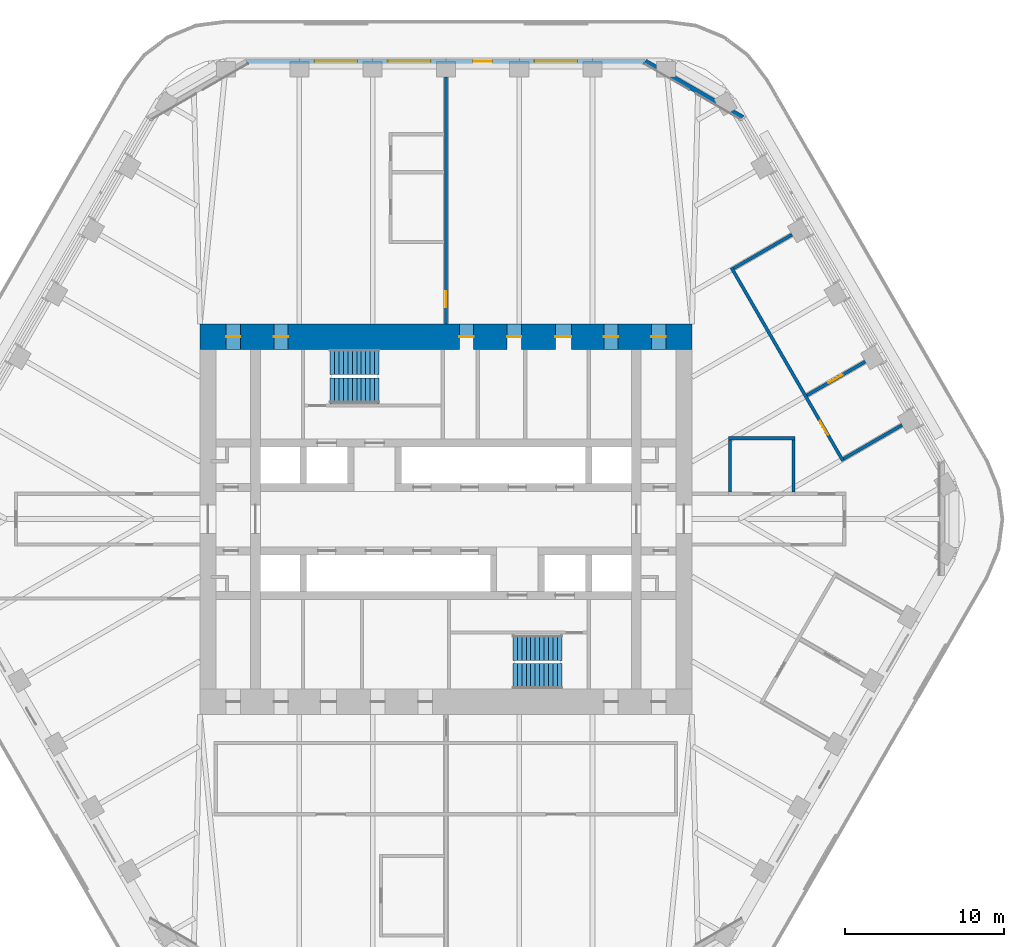
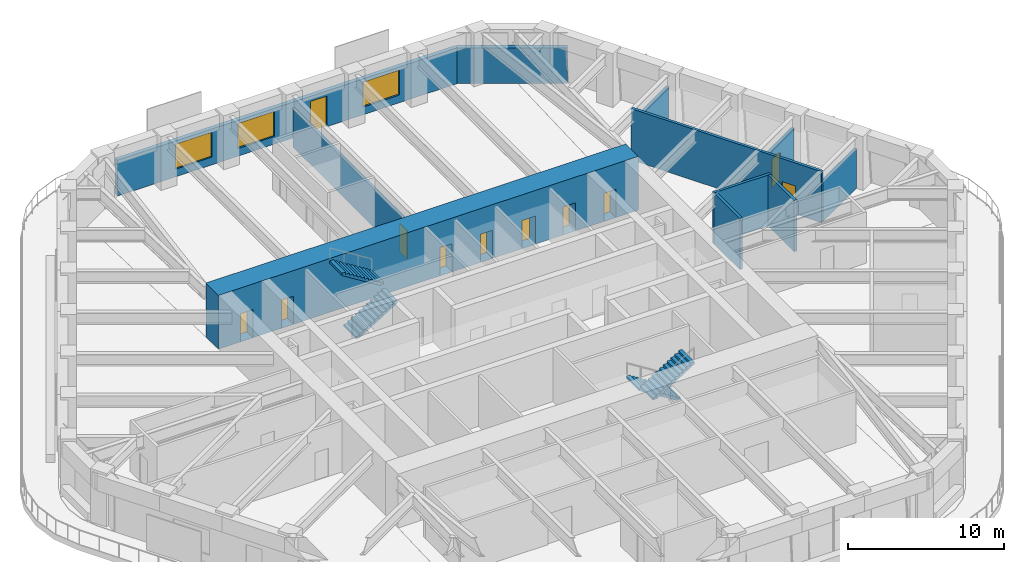
# One storey, part 17 of 20: 11 doors, 11 walls, 4 stair flights, 3 windows, 14 openings, 2 elements without a shape of their own.
"""IFC4 building model written with IfcOpenShell, lengths in metres."""

from ifc_helpers import new_model, si_unit, direction, frame, frame_2d, origin, place, context, subcontext, project, spatial, polyline, rectangle, outline, extrude, material, layer, layer_set, type_object, element, fill, aggregate, save


model = new_model("IFC4")

# Units and contexts
model_context = context("Model", 3, precision=1e-05, world=origin(), true_north=direction((0.0, 1.0)))
body_context = subcontext(model_context, "Body", "Model", "MODEL_VIEW")
ifc_project = project(units=[si_unit("LENGTHUNIT", "METRE"), si_unit("AREAUNIT", "SQUARE_METRE"), si_unit("VOLUMEUNIT", "CUBIC_METRE"), si_unit("PLANEANGLEUNIT", "RADIAN"), si_unit("MASSUNIT", "GRAM", prefix="KILO")], contexts=[model_context])

# Site, building, storey
site_placement = place(None, origin())
site = spatial("IfcSite", under=ifc_project, at=site_placement, CompositionType="ELEMENT")
building_placement = place(site_placement, origin())
building = spatial("IfcBuilding", under=site, at=building_placement, Name="Tarfa Lantern Tower", CompositionType="ELEMENT")
storey_placement = place(building_placement, frame((0.0, 0.0, 265.89990234375)))
storey = spatial("IfcBuildingStorey", under=building, at=storey_placement, Name="L60", CompositionType="ELEMENT", Elevation=265.89990234375)

# Wall
ifc_material_1 = material(Name="Limestone cladding on blockwork", Category="masonry")
ifc_layer_1 = layer(ifc_material_1, 0.300048828125)
ifc_layer_set_1 = layer_set([ifc_layer_1], Name="EW1 STONE-CLAD WALL 300")
wall_type_1 = type_object("IfcWallType", Name="EW1 STONE-CLAD WALL 300", PredefinedType="SOLIDWALL", material=ifc_layer_set_1)
wall_1_placement = place(storey_placement, frame((18.70654296875, 25.299072265625, 0.0), z_axis=(0.0, 0.0, 1.0), x_axis=(-0.866010973379, 0.500024993363, 0.0)))
element("IfcWall", 1, at=wall_1_placement, inside=storey, type_object=wall_type_1, Name="Garden wall NE-N", PredefinedType="SOLIDWALL", context=body_context, shape_type="SweptSolid", body=[
    extrude(rectangle(XDim=7.101806640625, YDim=0.300048828125, at=frame_2d((3.55078125, 0.0))), origin(), (0.0, 0.0, 1.0), 2.800048828125),
])

# Wall, openings, door, windows
wall_2_placement = place(storey_placement, frame((12.556396484375, 28.85009765625, 0.0), z_axis=(0.0, 0.0, 1.0), x_axis=(-1.0, 0.0, 0.0)))
wall_2 = element("IfcWall", 2, at=wall_2_placement, inside=storey, type_object=wall_type_1, Name="Stone wall N", PredefinedType="SOLIDWALL", context=body_context, shape_type="SweptSolid", body=[
    extrude(rectangle(XDim=25.11279296875, YDim=0.300048828125, at=frame_2d((12.556396484375, 0.0))), origin(), (0.0, 0.0, 1.0), 2.800048828125),
])
opening_1_placement = place(wall_2_placement, frame((4.2783203125, 0.0, 0.60009765625)))
opening_1 = element("IfcOpeningElement", 3, at=opening_1_placement, cuts=wall_2, Name="Opening W14", PredefinedType="OPENING", context=body_context, shape_type="SweptSolid", body=[
    extrude(rectangle(XDim=2.699951171875, YDim=1.949951171875, at=frame_2d((1.35009765625, 0.97509765625))), frame((0.0, 0.159912109375, 0.0), z_axis=(0.0, -1.0, 0.0), x_axis=(1.0, 0.0, 0.0)), (0.0, 0.0, 1.0), 0.320068359375),
])
opening_2_placement = place(wall_2_placement, frame((9.64697265625, 0.0, 0.0)))
opening_2 = element("IfcOpeningElement", 4, at=opening_2_placement, cuts=wall_2, Name="Opening D46", PredefinedType="OPENING", context=body_context, shape_type="SweptSolid", body=[
    extrude(rectangle(XDim=1.199951171875, YDim=2.39990234375, at=frame_2d((0.60009765625, 1.199951171875))), frame((0.0, 0.159912109375, 0.0), z_axis=(0.0, -1.0, 0.0), x_axis=(1.0, 0.0, 0.0)), (0.0, 0.0, 1.0), 0.320068359375),
])
opening_3_placement = place(wall_2_placement, frame((13.515869140625, 0.0, 0.60009765625)))
opening_3 = element("IfcOpeningElement", 5, at=opening_3_placement, cuts=wall_2, Name="Opening W14", PredefinedType="OPENING", context=body_context, shape_type="SweptSolid", body=[
    extrude(rectangle(XDim=2.699951171875, YDim=1.949951171875, at=frame_2d((1.35009765625, 0.97509765625))), frame((0.0, 0.159912109375, 0.0), z_axis=(0.0, -1.0, 0.0), x_axis=(1.0, 0.0, 0.0)), (0.0, 0.0, 1.0), 0.320068359375),
])
opening_4_placement = place(wall_2_placement, frame((18.134521484375, 0.0, 0.60009765625)))
opening_4 = element("IfcOpeningElement", 6, at=opening_4_placement, cuts=wall_2, Name="Opening W14", PredefinedType="OPENING", context=body_context, shape_type="SweptSolid", body=[
    extrude(rectangle(XDim=2.699951171875, YDim=1.949951171875, at=frame_2d((1.35009765625, 0.97509765625))), frame((0.0, 0.159912109375, 0.0), z_axis=(0.0, -1.0, 0.0), x_axis=(1.0, 0.0, 0.0)), (0.0, 0.0, 1.0), 0.320068359375),
])
ifc_material_2 = material(Name="Aluminium framed glazed door", Category="aluminium")
door_type_1 = type_object("IfcDoorType", Name="BE3 BALCONY DOOR 1200x2400", OperationType="SINGLE_SWING_RIGHT", PredefinedType="DOOR", material=ifc_material_2)
door_1_placement = place(opening_2_placement, origin())
door_1 = element("IfcDoor", 7, at=door_1_placement, inside=storey, type_object=door_type_1, Name="Balcony door N", OperationType="SINGLE_SWING_LEFT", OverallHeight=2.39990234375, OverallWidth=1.199951171875, PredefinedType="DOOR", context=body_context, shape_type="SweptSolid", body=[
    extrude(rectangle(XDim=1.199951171875, YDim=2.39990234375, at=frame_2d((0.60009765625, 1.199951171875))), frame((0.0, 0.02490234375, 0.0), z_axis=(0.0, -1.0, 0.0), x_axis=(1.0, 0.0, 0.0)), (0.0, 0.0, 1.0), 0.050048828125),
])
fill(opening_2, door_1)
ifc_material_3 = material(Name="Aluminium frame, double glazed", Category="aluminium")
window_type = type_object("IfcWindowType", Name="W14 FULL-HEIGHT GLAZING 2700x1950", PartitioningType="SINGLE_PANEL", PredefinedType="WINDOW", material=ifc_material_3)
window_1_placement = place(opening_1_placement, origin())
window_1 = element("IfcWindow", 8, at=window_1_placement, inside=storey, type_object=window_type, Name="Window N 2", OverallHeight=1.949951171875, OverallWidth=2.699951171875, PartitioningType="SINGLE_PANEL", PredefinedType="WINDOW", context=body_context, shape_type="SweptSolid", body=[
    extrude(rectangle(XDim=2.699951171875, YDim=1.949951171875, at=frame_2d((1.35009765625, 0.97509765625))), frame((0.0, 0.030029296875, 0.0), z_axis=(0.0, -1.0, 0.0), x_axis=(1.0, 0.0, 0.0)), (0.0, 0.0, 1.0), 0.06005859375),
])
fill(opening_1, window_1)
window_2_placement = place(opening_3_placement, origin())
window_2 = element("IfcWindow", 9, at=window_2_placement, inside=storey, type_object=window_type, Name="Window N 4", OverallHeight=1.949951171875, OverallWidth=2.699951171875, PartitioningType="SINGLE_PANEL", PredefinedType="WINDOW", context=body_context, shape_type="SweptSolid", body=[
    extrude(rectangle(XDim=2.699951171875, YDim=1.949951171875, at=frame_2d((1.35009765625, 0.97509765625))), frame((0.0, 0.030029296875, 0.0), z_axis=(0.0, -1.0, 0.0), x_axis=(1.0, 0.0, 0.0)), (0.0, 0.0, 1.0), 0.06005859375),
])
fill(opening_3, window_2)
window_3_placement = place(opening_4_placement, origin())
window_3 = element("IfcWindow", 10, at=window_3_placement, inside=storey, type_object=window_type, Name="Window N 5", OverallHeight=1.949951171875, OverallWidth=2.699951171875, PartitioningType="SINGLE_PANEL", PredefinedType="WINDOW", context=body_context, shape_type="SweptSolid", body=[
    extrude(rectangle(XDim=2.699951171875, YDim=1.949951171875, at=frame_2d((1.35009765625, 0.97509765625))), frame((0.0, 0.030029296875, 0.0), z_axis=(0.0, -1.0, 0.0), x_axis=(1.0, 0.0, 0.0)), (0.0, 0.0, 1.0), 0.06005859375),
])
fill(opening_4, window_3)

# Wall, opening, door
ifc_material_4 = material(Name="Gypsum board on steel studs", Category="steel")
ifc_layer_2 = layer(ifc_material_4, 0.2099609375)
ifc_layer_set_2 = layer_set([ifc_layer_2], Name="IW2 ACOUSTIC PARTITION 200")
wall_type_2 = type_object("IfcWallType", Name="IW2 ACOUSTIC PARTITION 200", PredefinedType="PARTITIONING", material=ifc_layer_set_2)
wall_3_placement = place(storey_placement, frame((25.0205078125, 3.663330078125, 0.0), z_axis=(0.0, 0.0, 1.0), x_axis=(-0.500002095642, 0.866024193862, 0.0)))
wall_3 = element("IfcWall", 11, at=wall_3_placement, inside=storey, type_object=wall_type_2, Name="Partition", PredefinedType="PARTITIONING", context=body_context, shape_type="SweptSolid", body=[
    extrude(rectangle(XDim=14.056640625, YDim=0.199951171875, at=frame_2d((7.0283203125, 0.0))), origin(), (0.0, 0.0, 1.0), 4.0),
])
opening_5_placement = place(wall_3_placement, frame((1.909423828125, 0.0, 0.0)))
opening_5 = element("IfcOpeningElement", 12, at=opening_5_placement, cuts=wall_3, Name="Opening D28", PredefinedType="OPENING", context=body_context, shape_type="SweptSolid", body=[
    extrude(rectangle(XDim=1.0, YDim=2.199951171875, at=frame_2d((0.5, 1.10009765625))), frame((0.0, 0.10986328125, 0.0), z_axis=(0.0, -1.0, 0.0), x_axis=(1.0, 0.0, 0.0)), (0.0, 0.0, 1.0), 0.219970703125),
])
ifc_material_5 = material(Name="Timber door", Category="wood")
door_type_2 = type_object("IfcDoorType", Name="DR1 ROOM DOOR 1000x2200", OperationType="SINGLE_SWING_LEFT", PredefinedType="DOOR", material=ifc_material_5)
door_2_placement = place(opening_5_placement, frame((1.0, 0.0, 0.0), z_axis=(0.0, 0.0, 1.0), x_axis=(-1.0, 0.0, 0.0)))
door_2 = element("IfcDoor", 13, at=door_2_placement, inside=storey, type_object=door_type_2, Name="Client reception door", OperationType="SINGLE_SWING_LEFT", OverallHeight=2.199951171875, OverallWidth=1.0, PredefinedType="DOOR", context=body_context, shape_type="SweptSolid", body=[
    extrude(rectangle(XDim=1.0, YDim=2.199951171875, at=frame_2d((0.5, 1.10009765625))), frame((0.0, 0.02490234375, 0.0), z_axis=(0.0, -1.0, 0.0), x_axis=(1.0, 0.0, 0.0)), (0.0, 0.0, 1.0), 0.050048828125),
])
fill(opening_5, door_2)

# Wall
wall_4_placement = place(storey_placement, frame((25.056884765625, 3.800048828125, 0.0), z_axis=(0.0, 0.0, 1.0), x_axis=(0.866028703517, 0.499994284652, 0.0)))
element("IfcWall", 14, at=wall_4_placement, inside=storey, type_object=wall_type_2, Name="Partition", PredefinedType="PARTITIONING", context=body_context, shape_type="SweptSolid", body=[
    extrude(rectangle(XDim=4.25, YDim=0.199951171875, at=frame_2d((2.125, 0.0))), origin(), (0.0, 0.0, 1.0), 3.081787109375),
])

# Wall, opening, door
wall_5_placement = place(storey_placement, frame((22.74755859375, 7.800048828125, 0.0), z_axis=(0.0, 0.0, 1.0), x_axis=(0.866028703517, 0.499994284652, 0.0)))
wall_5 = element("IfcWall", 15, at=wall_5_placement, inside=storey, type_object=wall_type_2, Name="Partition", PredefinedType="PARTITIONING", context=body_context, shape_type="SweptSolid", body=[
    extrude(rectangle(XDim=4.25, YDim=0.199951171875, at=frame_2d((2.125, 0.0))), origin(), (0.0, 0.0, 1.0), 3.081787109375),
])
opening_6_placement = place(wall_5_placement, frame((1.574951171875, 0.0, 0.0)))
opening_6 = element("IfcOpeningElement", 16, at=opening_6_placement, cuts=wall_5, Name="Opening D29", PredefinedType="OPENING", context=body_context, shape_type="SweptSolid", body=[
    extrude(rectangle(XDim=1.0, YDim=2.199951171875, at=frame_2d((0.5, 1.10009765625))), frame((0.0, 0.10986328125, 0.0), z_axis=(0.0, -1.0, 0.0), x_axis=(1.0, 0.0, 0.0)), (0.0, 0.0, 1.0), 0.219970703125),
])
door_3_placement = place(opening_6_placement, frame((1.0, 0.0, 0.0), z_axis=(0.0, 0.0, 1.0), x_axis=(-1.0, 0.0, 0.0)))
door_3 = element("IfcDoor", 17, at=door_3_placement, inside=storey, type_object=door_type_2, Name="Majlis door", OperationType="SINGLE_SWING_LEFT", OverallHeight=2.199951171875, OverallWidth=1.0, PredefinedType="DOOR", context=body_context, shape_type="SweptSolid", body=[
    extrude(rectangle(XDim=1.0, YDim=2.199951171875, at=frame_2d((0.5, 1.10009765625))), frame((0.0, 0.02490234375, 0.0), z_axis=(0.0, -1.0, 0.0), x_axis=(1.0, 0.0, 0.0)), (0.0, 0.0, 1.0), 0.050048828125),
])
fill(opening_6, door_3)

# Walls
wall_6_placement = place(storey_placement, frame((18.12890625, 15.800048828125, 0.0), z_axis=(0.0, 0.0, 1.0), x_axis=(0.866014341725, 0.50001915956, 0.0)))
element("IfcWall", 18, at=wall_6_placement, inside=storey, type_object=wall_type_2, Name="Partition", PredefinedType="PARTITIONING", context=body_context, shape_type="SweptSolid", body=[
    extrude(rectangle(XDim=4.249755859375, YDim=0.199951171875, at=frame_2d((2.125, 0.0))), origin(), (0.0, 0.0, 1.0), 3.081787109375),
])
wall_7_placement = place(storey_placement, frame((17.800048828125, 5.10009765625, 0.0), z_axis=(0.0, 0.0, 1.0), x_axis=(1.0, 0.0, 0.0)))
element("IfcWall", 19, at=wall_7_placement, inside=storey, type_object=wall_type_2, Name="Partition", PredefinedType="PARTITIONING", context=body_context, shape_type="SweptSolid", body=[
    extrude(rectangle(XDim=4.199951171875, YDim=0.199951171875, at=frame_2d((2.10009765625, 0.0))), origin(), (0.0, 0.0, 1.0), 4.0),
])
for number, where, z_axis, x_axis, name in (
    (20, (17.89990234375, 1.699951171875, 0.0), (0.0, 0.0, 1.0), (0.0, 1.0, 0.0), "Partition"),
    (21, (21.89990234375, 1.699951171875, 0.0), (0.0, 0.0, 1.0), (0.0, 1.0, 0.0), "Partition"),
):
    element("IfcWall", number, at=place(storey_placement, frame(where, z_axis=z_axis, x_axis=x_axis)), inside=storey, type_object=wall_type_2, Name=name, PredefinedType="PARTITIONING", context=body_context, shape_type="SweptSolid", body=[
        extrude(rectangle(XDim=3.300048828125, YDim=0.199951171875, at=frame_2d((1.64990234375, 0.0))), origin(), (0.0, 0.0, 1.0), 4.0),
    ])

# Wall, opening, door
wall_8_placement = place(storey_placement, frame((0.0, 12.300048828125, 0.0), z_axis=(0.0, 0.0, 1.0), x_axis=(0.0, 1.0, 0.0)))
wall_8 = element("IfcWall", 22, at=wall_8_placement, inside=storey, type_object=wall_type_2, Name="Partition", PredefinedType="PARTITIONING", context=body_context, shape_type="SweptSolid", body=[
    extrude(rectangle(XDim=15.550048828125, YDim=0.199951171875, at=frame_2d((7.77490234375, 0.0))), origin(), (0.0, 0.0, 1.0), 2.991943359375),
])
opening_7_placement = place(wall_8_placement, frame((1.054931640625, 0.0, 0.0)))
opening_7 = element("IfcOpeningElement", 23, at=opening_7_placement, cuts=wall_8, Name="Opening D43", PredefinedType="OPENING", context=body_context, shape_type="SweptSolid", body=[
    extrude(rectangle(XDim=1.0, YDim=2.199951171875, at=frame_2d((0.5, 1.10009765625))), frame((0.0, 0.10986328125, 0.0), z_axis=(0.0, -1.0, 0.0), x_axis=(1.0, 0.0, 0.0)), (0.0, 0.0, 1.0), 0.219970703125),
])
door_4_placement = place(opening_7_placement, origin())
door_4 = element("IfcDoor", 24, at=door_4_placement, inside=storey, type_object=door_type_2, Name="Zone door", OperationType="SINGLE_SWING_RIGHT", OverallHeight=2.199951171875, OverallWidth=1.0, PredefinedType="DOOR", context=body_context, shape_type="SweptSolid", body=[
    extrude(rectangle(XDim=1.0, YDim=2.199951171875, at=frame_2d((0.5, 1.10009765625))), frame((0.0, 0.02490234375, 0.0), z_axis=(0.0, -1.0, 0.0), x_axis=(1.0, 0.0, 0.0)), (0.0, 0.0, 1.0), 0.050048828125),
])
fill(opening_7, door_4)

# Wall, openings, doors
ifc_material_6 = material(Name="Concrete C80/95", Category="concrete")
ifc_layer_3 = layer(ifc_material_6, 1.60009765625)
ifc_layer_set_3 = layer_set([ifc_layer_3], Name="SW7 CORE WALL 1600")
wall_type_3 = type_object("IfcWallType", Name="SW7 CORE WALL 1600", PredefinedType="SHEAR", material=ifc_layer_set_3)
wall_9_placement = place(storey_placement, frame((-15.5, 11.5, 0.0), z_axis=(0.0, 0.0, 1.0), x_axis=(1.0, 0.0, 0.0)))
wall_9 = element("IfcWall", 25, at=wall_9_placement, inside=storey, type_object=wall_type_3, Name="Core wall N", PredefinedType="SHEAR", context=body_context, shape_type="SweptSolid", body=[
    extrude(rectangle(XDim=31.0, YDim=1.60009765625, at=frame_2d((15.5, 0.0))), origin(), (0.0, 0.0, 1.0), 4.2001953125),
])
opening_8_placement = place(wall_9_placement, frame((16.35009765625, 0.0, 0.0)))
opening_8 = element("IfcOpeningElement", 26, at=opening_8_placement, cuts=wall_9, Name="Opening D17", PredefinedType="OPENING", context=body_context, shape_type="SweptSolid", body=[
    extrude(rectangle(XDim=0.89990234375, YDim=2.199951171875, at=frame_2d((0.449951171875, 1.10009765625))), frame((0.0, 0.81005859375, 0.0), z_axis=(0.0, -1.0, 0.0), x_axis=(1.0, 0.0, 0.0)), (0.0, 0.0, 1.0), 1.6201171875),
])
opening_9_placement = place(wall_9_placement, frame((19.35009765625, 0.0, 0.0)))
opening_9 = element("IfcOpeningElement", 27, at=opening_9_placement, cuts=wall_9, Name="Opening D19", PredefinedType="OPENING", context=body_context, shape_type="SweptSolid", body=[
    extrude(rectangle(XDim=0.89990234375, YDim=2.199951171875, at=frame_2d((0.449951171875, 1.10009765625))), frame((0.0, 0.81005859375, 0.0), z_axis=(0.0, -1.0, 0.0), x_axis=(1.0, 0.0, 0.0)), (0.0, 0.0, 1.0), 1.6201171875),
])
opening_10_placement = place(wall_9_placement, frame((22.39990234375, 0.0, 0.0)))
opening_10 = element("IfcOpeningElement", 28, at=opening_10_placement, cuts=wall_9, Name="Opening D21", PredefinedType="OPENING", context=body_context, shape_type="SweptSolid", body=[
    extrude(rectangle(XDim=1.0, YDim=2.199951171875, at=frame_2d((0.5, 1.10009765625))), frame((0.0, 0.81005859375, 0.0), z_axis=(0.0, -1.0, 0.0), x_axis=(1.0, 0.0, 0.0)), (0.0, 0.0, 1.0), 1.6201171875),
])
opening_11_placement = place(wall_9_placement, frame((1.64990234375, 0.0, 0.0)))
opening_11 = element("IfcOpeningElement", 29, at=opening_11_placement, cuts=wall_9, Name="Opening D07", PredefinedType="OPENING", context=body_context, shape_type="SweptSolid", body=[
    extrude(rectangle(XDim=0.89990234375, YDim=2.199951171875, at=frame_2d((0.449951171875, 1.10009765625))), frame((0.0, 0.81005859375, 0.0), z_axis=(0.0, -1.0, 0.0), x_axis=(1.0, 0.0, 0.0)), (0.0, 0.0, 1.0), 1.6201171875),
])
opening_12_placement = place(wall_9_placement, frame((4.64990234375, 0.0, 0.0)))
opening_12 = element("IfcOpeningElement", 30, at=opening_12_placement, cuts=wall_9, Name="Opening D05", PredefinedType="OPENING", context=body_context, shape_type="SweptSolid", body=[
    extrude(rectangle(XDim=0.89990234375, YDim=2.199951171875, at=frame_2d((0.449951171875, 1.10009765625))), frame((0.0, 0.81005859375, 0.0), z_axis=(0.0, -1.0, 0.0), x_axis=(1.0, 0.0, 0.0)), (0.0, 0.0, 1.0), 1.6201171875),
])
opening_13_placement = place(wall_9_placement, frame((25.449951171875, 0.0, 0.0)))
opening_13 = element("IfcOpeningElement", 31, at=opening_13_placement, cuts=wall_9, Name="Opening D03", PredefinedType="OPENING", context=body_context, shape_type="SweptSolid", body=[
    extrude(rectangle(XDim=0.89990234375, YDim=2.199951171875, at=frame_2d((0.449951171875, 1.10009765625))), frame((0.0, 0.81005859375, 0.0), z_axis=(0.0, -1.0, 0.0), x_axis=(1.0, 0.0, 0.0)), (0.0, 0.0, 1.0), 1.6201171875),
])
opening_14_placement = place(wall_9_placement, frame((28.449951171875, 0.0, 0.0)))
opening_14 = element("IfcOpeningElement", 32, at=opening_14_placement, cuts=wall_9, Name="Opening D01", PredefinedType="OPENING", context=body_context, shape_type="SweptSolid", body=[
    extrude(rectangle(XDim=0.89990234375, YDim=2.199951171875, at=frame_2d((0.449951171875, 1.10009765625))), frame((0.0, 0.81005859375, 0.0), z_axis=(0.0, -1.0, 0.0), x_axis=(1.0, 0.0, 0.0)), (0.0, 0.0, 1.0), 1.6201171875),
])
ifc_material_7 = material(Name="Steel fire door", Category="steel")
door_type_3 = type_object("IfcDoorType", Name="DF3 CORE ROOM DOOR 900x2200", OperationType="SINGLE_SWING_LEFT", PredefinedType="DOOR", material=ifc_material_7)
door_5_placement = place(opening_8_placement, frame((0.89990234375, 0.0, 0.0), z_axis=(0.0, 0.0, 1.0), x_axis=(-1.0, 0.0, 0.0)))
door_5 = element("IfcDoor", 33, at=door_5_placement, inside=storey, type_object=door_type_3, Name="Core door", OperationType="SINGLE_SWING_RIGHT", OverallHeight=2.199951171875, OverallWidth=0.89990234375, PredefinedType="DOOR", context=body_context, shape_type="SweptSolid", body=[
    extrude(rectangle(XDim=0.89990234375, YDim=2.199951171875, at=frame_2d((0.449951171875, 1.10009765625))), frame((0.0, 0.02490234375, 0.0), z_axis=(0.0, -1.0, 0.0), x_axis=(1.0, 0.0, 0.0)), (0.0, 0.0, 1.0), 0.050048828125),
])
fill(opening_8, door_5)
door_6_placement = place(opening_9_placement, frame((0.89990234375, 0.0, 0.0), z_axis=(0.0, 0.0, 1.0), x_axis=(-1.0, 0.0, 0.0)))
door_6 = element("IfcDoor", 34, at=door_6_placement, inside=storey, type_object=door_type_3, Name="Core door", OperationType="SINGLE_SWING_RIGHT", OverallHeight=2.199951171875, OverallWidth=0.89990234375, PredefinedType="DOOR", context=body_context, shape_type="SweptSolid", body=[
    extrude(rectangle(XDim=0.89990234375, YDim=2.199951171875, at=frame_2d((0.449951171875, 1.10009765625))), frame((0.0, 0.02490234375, 0.0), z_axis=(0.0, -1.0, 0.0), x_axis=(1.0, 0.0, 0.0)), (0.0, 0.0, 1.0), 0.050048828125),
])
fill(opening_9, door_6)
door_type_4 = type_object("IfcDoorType", Name="DF4 CORE ROOM DOOR 1000x2200", OperationType="SINGLE_SWING_LEFT", PredefinedType="DOOR", material=ifc_material_7)
door_7_placement = place(opening_10_placement, frame((1.0, 0.0, 0.0), z_axis=(0.0, 0.0, 1.0), x_axis=(-1.0, 0.0, 0.0)))
door_7 = element("IfcDoor", 35, at=door_7_placement, inside=storey, type_object=door_type_4, Name="Core door", OperationType="SINGLE_SWING_RIGHT", OverallHeight=2.199951171875, OverallWidth=1.0, PredefinedType="DOOR", context=body_context, shape_type="SweptSolid", body=[
    extrude(rectangle(XDim=1.0, YDim=2.199951171875, at=frame_2d((0.5, 1.10009765625))), frame((0.0, 0.02490234375, 0.0), z_axis=(0.0, -1.0, 0.0), x_axis=(1.0, 0.0, 0.0)), (0.0, 0.0, 1.0), 0.050048828125),
])
fill(opening_10, door_7)
door_type_5 = type_object("IfcDoorType", Name="DF5 RISER DOOR 900x2200", OperationType="SINGLE_SWING_LEFT", PredefinedType="DOOR", material=ifc_material_7)
door_8_placement = place(opening_11_placement, frame((0.89990234375, 0.0, 0.0), z_axis=(0.0, 0.0, 1.0), x_axis=(-1.0, 0.0, 0.0)))
door_8 = element("IfcDoor", 36, at=door_8_placement, inside=storey, type_object=door_type_5, Name="Riser door", OperationType="SINGLE_SWING_LEFT", OverallHeight=2.199951171875, OverallWidth=0.89990234375, PredefinedType="DOOR", context=body_context, shape_type="SweptSolid", body=[
    extrude(rectangle(XDim=0.89990234375, YDim=2.199951171875, at=frame_2d((0.449951171875, 1.10009765625))), frame((0.0, 0.02490234375, 0.0), z_axis=(0.0, -1.0, 0.0), x_axis=(1.0, 0.0, 0.0)), (0.0, 0.0, 1.0), 0.050048828125),
])
fill(opening_11, door_8)
door_9_placement = place(opening_12_placement, frame((0.89990234375, 0.0, 0.0), z_axis=(0.0, 0.0, 1.0), x_axis=(-1.0, 0.0, 0.0)))
door_9 = element("IfcDoor", 37, at=door_9_placement, inside=storey, type_object=door_type_5, Name="Riser door", OperationType="SINGLE_SWING_LEFT", OverallHeight=2.199951171875, OverallWidth=0.89990234375, PredefinedType="DOOR", context=body_context, shape_type="SweptSolid", body=[
    extrude(rectangle(XDim=0.89990234375, YDim=2.199951171875, at=frame_2d((0.449951171875, 1.10009765625))), frame((0.0, 0.02490234375, 0.0), z_axis=(0.0, -1.0, 0.0), x_axis=(1.0, 0.0, 0.0)), (0.0, 0.0, 1.0), 0.050048828125),
])
fill(opening_12, door_9)
door_10_placement = place(opening_13_placement, frame((0.89990234375, 0.0, 0.0), z_axis=(0.0, 0.0, 1.0), x_axis=(-1.0, 0.0, 0.0)))
door_10 = element("IfcDoor", 38, at=door_10_placement, inside=storey, type_object=door_type_5, Name="Riser door", OperationType="SINGLE_SWING_RIGHT", OverallHeight=2.199951171875, OverallWidth=0.89990234375, PredefinedType="DOOR", context=body_context, shape_type="SweptSolid", body=[
    extrude(rectangle(XDim=0.89990234375, YDim=2.199951171875, at=frame_2d((0.449951171875, 1.10009765625))), frame((0.0, 0.02490234375, 0.0), z_axis=(0.0, -1.0, 0.0), x_axis=(1.0, 0.0, 0.0)), (0.0, 0.0, 1.0), 0.050048828125),
])
fill(opening_13, door_10)
door_11_placement = place(opening_14_placement, frame((0.89990234375, 0.0, 0.0), z_axis=(0.0, 0.0, 1.0), x_axis=(-1.0, 0.0, 0.0)))
door_11 = element("IfcDoor", 39, at=door_11_placement, inside=storey, type_object=door_type_5, Name="Riser door", OperationType="SINGLE_SWING_RIGHT", OverallHeight=2.199951171875, OverallWidth=0.89990234375, PredefinedType="DOOR", context=body_context, shape_type="SweptSolid", body=[
    extrude(rectangle(XDim=0.89990234375, YDim=2.199951171875, at=frame_2d((0.449951171875, 1.10009765625))), frame((0.0, 0.02490234375, 0.0), z_axis=(0.0, -1.0, 0.0), x_axis=(1.0, 0.0, 0.0)), (0.0, 0.0, 1.0), 0.050048828125),
])
fill(opening_14, door_11)

# Stair, stair flights
ifc_material_8 = material(Name="Concrete C40/50", Category="concrete")
stair_type = type_object("IfcStairType", Name="ST-T10 HALF-TURN STAIR 4200 RISE", PredefinedType="HALF_TURN_STAIR", material=ifc_material_8)
stair_1_placement = place(storey_placement, origin())
stair_1 = element("IfcStair", 40, at=stair_1_placement, inside=storey, type_object=stair_type, Name="Stair ST1", PredefinedType="HALF_TURN_STAIR")
stair_flight_type = type_object("IfcStairFlightType", Name="SF1 STAIR FLIGHT", PredefinedType="STRAIGHT", material=ifc_material_8)
stair_flight_1_placement = place(storey_placement, frame((-7.300048828125, 8.10009765625, 0.0), z_axis=(0.0, 0.0, 1.0), x_axis=(1.0, 0.0, 0.0)))
stair_flight_1 = element("IfcStairFlight", 41, at=stair_flight_1_placement, type_object=stair_flight_type, Name="ST1 flight 1", NumberOfRisers=12, NumberOfTreads=11, PredefinedType="STRAIGHT", RiserHeight=0.175, TreadLength=0.28, context=body_context, shape_type="SweptSolid", body=[
    extrude(outline(polyline([(0.0, 0.0), (0.0, 0.175048828125), (0.280029296875, 0.175048828125), (0.280029296875, 0.35009765625), (0.56005859375, 0.35009765625), (0.56005859375, 0.52490234375), (0.840087890625, 0.52490234375), (0.840087890625, 0.699951171875), (1.1201171875, 0.699951171875), (1.1201171875, 0.875), (1.39990234375, 0.875), (1.39990234375, 1.050048828125), (1.679931640625, 1.050048828125), (1.679931640625, 1.22509765625), (1.9599609375, 1.22509765625), (1.9599609375, 1.39990234375), (2.239990234375, 1.39990234375), (2.239990234375, 1.574951171875), (2.52001953125, 1.574951171875), (2.52001953125, 1.75), (2.800048828125, 1.75), (2.800048828125, 1.925048828125), (3.080078125, 1.925048828125), (3.080078125, 2.10009765625), (3.080078125, 1.748291015625), (0.28271484375, 0.0), (0.0, 0.0)])), frame((0.0, 0.800048828125, 0.0), z_axis=(0.0, -1.0, 0.0), x_axis=(1.0, 0.0, 0.0)), (0.0, 0.0, 1.0), 1.60009765625),
])
stair_flight_2_placement = place(storey_placement, frame((-4.219970703125, 9.89990234375, 2.10009765625), z_axis=(0.0, 0.0, 1.0), x_axis=(-1.0, 0.0, 0.0)))
stair_flight_2 = element("IfcStairFlight", 42, at=stair_flight_2_placement, type_object=stair_flight_type, Name="ST1 flight 2", NumberOfRisers=12, NumberOfTreads=11, PredefinedType="STRAIGHT", RiserHeight=0.175, TreadLength=0.28, context=body_context, shape_type="SweptSolid", body=[
    extrude(outline(polyline([(0.0, 0.0), (0.0, 0.175048828125), (0.280029296875, 0.175048828125), (0.280029296875, 0.35009765625), (0.56005859375, 0.35009765625), (0.56005859375, 0.52490234375), (0.840087890625, 0.52490234375), (0.840087890625, 0.699951171875), (1.1201171875, 0.699951171875), (1.1201171875, 0.875), (1.39990234375, 0.875), (1.39990234375, 1.050048828125), (1.679931640625, 1.050048828125), (1.679931640625, 1.22509765625), (1.9599609375, 1.22509765625), (1.9599609375, 1.39990234375), (2.239990234375, 1.39990234375), (2.239990234375, 1.574951171875), (2.52001953125, 1.574951171875), (2.52001953125, 1.75), (2.800048828125, 1.75), (2.800048828125, 1.925048828125), (3.080078125, 1.925048828125), (3.080078125, 2.10009765625), (3.080078125, 1.748291015625), (0.28271484375, 0.0), (0.0, 0.0)])), frame((0.0, 0.800048828125, 0.0), z_axis=(0.0, -1.0, 0.0), x_axis=(1.0, 0.0, 0.0)), (0.0, 0.0, 1.0), 1.60009765625),
])
aggregate(stair_1, [stair_flight_1, stair_flight_2])

stair_2_placement = place(storey_placement, origin())
stair_2 = element("IfcStair", 43, at=stair_2_placement, inside=storey, type_object=stair_type, Name="Stair ST2", PredefinedType="HALF_TURN_STAIR")
stair_flight_3_placement = place(storey_placement, frame((7.300048828125, -8.10009765625, 0.0), z_axis=(0.0, 0.0, 1.0), x_axis=(-1.0, 0.0, 0.0)))
stair_flight_3 = element("IfcStairFlight", 44, at=stair_flight_3_placement, type_object=stair_flight_type, Name="ST2 flight 1", NumberOfRisers=12, NumberOfTreads=11, PredefinedType="STRAIGHT", RiserHeight=0.175, TreadLength=0.28, context=body_context, shape_type="SweptSolid", body=[
    extrude(outline(polyline([(0.0, 0.0), (0.0, 0.175048828125), (0.280029296875, 0.175048828125), (0.280029296875, 0.35009765625), (0.56005859375, 0.35009765625), (0.56005859375, 0.52490234375), (0.840087890625, 0.52490234375), (0.840087890625, 0.699951171875), (1.1201171875, 0.699951171875), (1.1201171875, 0.875), (1.39990234375, 0.875), (1.39990234375, 1.050048828125), (1.679931640625, 1.050048828125), (1.679931640625, 1.22509765625), (1.9599609375, 1.22509765625), (1.9599609375, 1.39990234375), (2.239990234375, 1.39990234375), (2.239990234375, 1.574951171875), (2.52001953125, 1.574951171875), (2.52001953125, 1.75), (2.800048828125, 1.75), (2.800048828125, 1.925048828125), (3.080078125, 1.925048828125), (3.080078125, 2.10009765625), (3.080078125, 1.748291015625), (0.28271484375, 0.0), (0.0, 0.0)])), frame((0.0, 0.800048828125, 0.0), z_axis=(0.0, -1.0, 0.0), x_axis=(1.0, 0.0, 0.0)), (0.0, 0.0, 1.0), 1.60009765625),
])
stair_flight_4_placement = place(storey_placement, frame((4.219970703125, -9.89990234375, 2.10009765625), z_axis=(0.0, 0.0, 1.0), x_axis=(1.0, 0.0, 0.0)))
stair_flight_4 = element("IfcStairFlight", 45, at=stair_flight_4_placement, type_object=stair_flight_type, Name="ST2 flight 2", NumberOfRisers=12, NumberOfTreads=11, PredefinedType="STRAIGHT", RiserHeight=0.175, TreadLength=0.28, context=body_context, shape_type="SweptSolid", body=[
    extrude(outline(polyline([(0.0, 0.0), (0.0, 0.175048828125), (0.280029296875, 0.175048828125), (0.280029296875, 0.35009765625), (0.56005859375, 0.35009765625), (0.56005859375, 0.52490234375), (0.840087890625, 0.52490234375), (0.840087890625, 0.699951171875), (1.1201171875, 0.699951171875), (1.1201171875, 0.875), (1.39990234375, 0.875), (1.39990234375, 1.050048828125), (1.679931640625, 1.050048828125), (1.679931640625, 1.22509765625), (1.9599609375, 1.22509765625), (1.9599609375, 1.39990234375), (2.239990234375, 1.39990234375), (2.239990234375, 1.574951171875), (2.52001953125, 1.574951171875), (2.52001953125, 1.75), (2.800048828125, 1.75), (2.800048828125, 1.925048828125), (3.080078125, 1.925048828125), (3.080078125, 2.10009765625), (3.080078125, 1.748291015625), (0.28271484375, 0.0), (0.0, 0.0)])), frame((0.0, 0.800048828125, 0.0), z_axis=(0.0, -1.0, 0.0), x_axis=(1.0, 0.0, 0.0)), (0.0, 0.0, 1.0), 1.60009765625),
])
aggregate(stair_2, [stair_flight_3, stair_flight_4])

save(model, "model.ifc")
